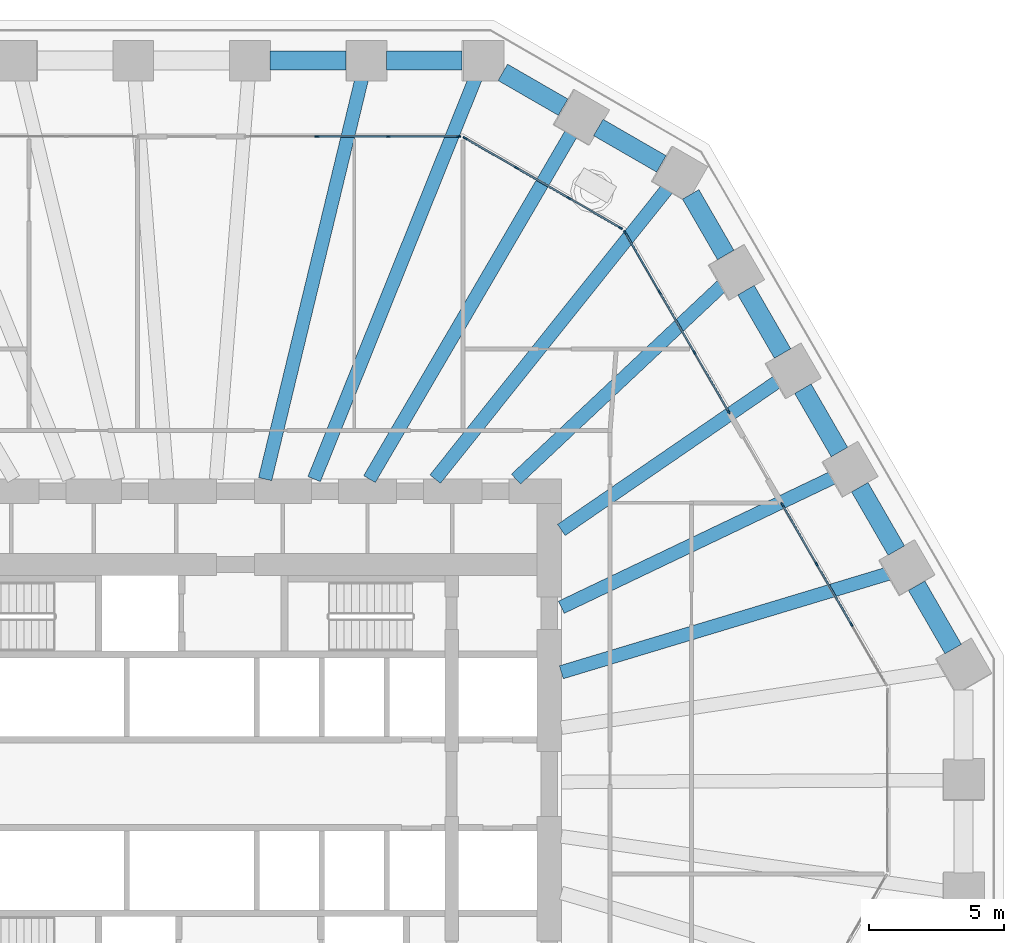
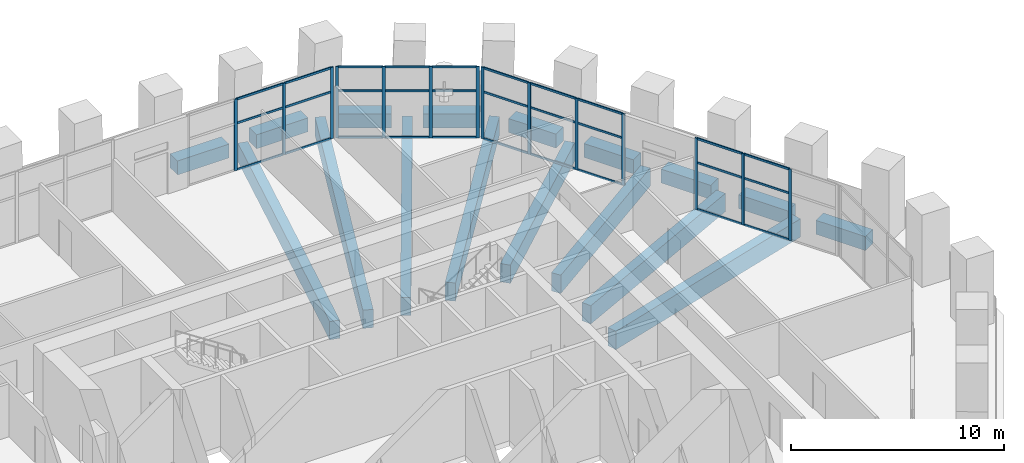
# One storey, part 8 of 18: 44 members, 17 beams, 4 elements without a shape of their own.
"""IFC4 building model written with IfcOpenShell, lengths in metres."""

from ifc_helpers import new_model, si_unit, direction, frame, origin, origin_2d, place, context, subcontext, project, spatial, rectangle, extrude, material, material_profile, profile_set, type_object, element, aggregate, save


model = new_model("IFC4")

# Units and contexts
model_context = context("Model", 3, precision=1e-05, world=origin(), true_north=direction((0.0, 1.0)))
body_context = subcontext(model_context, "Body", "Model", "MODEL_VIEW")
ifc_project = project(units=[si_unit("LENGTHUNIT", "METRE"), si_unit("AREAUNIT", "SQUARE_METRE"), si_unit("VOLUMEUNIT", "CUBIC_METRE"), si_unit("PLANEANGLEUNIT", "RADIAN"), si_unit("MASSUNIT", "GRAM", prefix="KILO")], contexts=[model_context])

# Site, building, storey
site_placement = place(None, origin())
site = spatial("IfcSite", under=ifc_project, at=site_placement, CompositionType="ELEMENT")
building_placement = place(site_placement, origin())
building = spatial("IfcBuilding", under=site, at=building_placement, Name="Frailejon Research Tower", CompositionType="ELEMENT")
storey_placement = place(building_placement, frame((0.0, 0.0, 19.0)))
storey = spatial("IfcBuildingStorey", under=building, at=storey_placement, Name="L04", CompositionType="ELEMENT", Elevation=19.0)

# Curtain wall, members
ifc_material_1 = material(Name="Aluminium curtain wall", Category="aluminium")
curtain_wall_type = type_object("IfcCurtainWallType", Name="Base zone unitised curtain wall system", PredefinedType="NOTDEFINED", material=ifc_material_1)
curtain_wall_1_placement = place(storey_placement, origin())
curtain_wall_1 = element("IfcCurtainWall", 1, at=curtain_wall_1_placement, inside=storey, type_object=curtain_wall_type, Name="Curtain wall L04", PredefinedType="NOTDEFINED")
ifc_material_2 = material(Name="Aluminium extrusion", Category="aluminium")
ifc_material_profile_1 = material_profile(ifc_material_2, rectangle(XDim=0.06005859375, YDim=0.159912109375, at=origin_2d()), Name="Base zone unitised curtain wall mullion 60x160")
ifc_profile_set_1 = profile_set([ifc_material_profile_1], Name="Aluminium extrusion")
member_type_1 = type_object("IfcMemberType", Name="Base zone unitised curtain wall mullion 60x160", PredefinedType="MULLION", material=ifc_profile_set_1)
member_1_placement = place(storey_placement, frame((24.359375, 5.885009765625, 0.0), z_axis=(0.0, 0.0, 1.0), x_axis=(-0.866024676356, -0.50000125994, 0.0)))
member_1 = element("IfcMember", 2, at=member_1_placement, type_object=member_type_1, Name="CW3-064 mullion 2", PredefinedType="MULLION", context=body_context, shape_type="SweptSolid", body=[
    extrude(rectangle(XDim=0.06005859375, YDim=0.159912109375, at=origin_2d()), origin(), (0.0, 0.0, 1.0), 4.10009765625),
])
member_2_placement = place(storey_placement, frame((23.075927734375, 8.107666015625, 0.0), z_axis=(0.0, 0.0, 1.0), x_axis=(-0.866024676356, -0.50000125994, 0.0)))
member_2 = element("IfcMember", 3, at=member_2_placement, type_object=member_type_1, Name="CW3-064 mullion 3", PredefinedType="MULLION", context=body_context, shape_type="SweptSolid", body=[
    extrude(rectangle(XDim=0.06005859375, YDim=0.159912109375, at=origin_2d()), origin(), (0.0, 0.0, 1.0), 4.10009765625),
])
member_3_placement = place(storey_placement, frame((21.8076171875, 10.304443359375, 0.0), z_axis=(0.0, 0.0, 1.0), x_axis=(-0.866024676356, -0.50000125994, 0.0)))
member_3 = element("IfcMember", 4, at=member_3_placement, type_object=member_type_1, Name="CW3-064 mullion 4", PredefinedType="MULLION", context=body_context, shape_type="SweptSolid", body=[
    extrude(rectangle(XDim=0.06005859375, YDim=0.159912109375, at=origin_2d()), origin(), (0.0, 0.0, 1.0), 4.10009765625),
])

curtain_wall_2_placement = place(storey_placement, origin())
curtain_wall_2 = element("IfcCurtainWall", 5, at=curtain_wall_2_placement, inside=storey, type_object=curtain_wall_type, Name="Curtain wall L04", PredefinedType="NOTDEFINED")
member_4_placement = place(storey_placement, frame((19.827880859375, 13.73388671875, 0.0), z_axis=(0.0, 0.0, 1.0), x_axis=(-0.866027923165, -0.49999563628, 0.0)))
member_4 = element("IfcMember", 6, at=member_4_placement, type_object=member_type_1, Name="CW3-065 mullion 1", PredefinedType="MULLION", context=body_context, shape_type="SweptSolid", body=[
    extrude(rectangle(XDim=0.06005859375, YDim=0.159912109375, at=origin_2d()), origin(), (0.0, 0.0, 1.0), 4.10009765625),
])
member_5_placement = place(storey_placement, frame((18.5595703125, 15.9306640625, 0.0), z_axis=(0.0, 0.0, 1.0), x_axis=(-0.866027923165, -0.49999563628, 0.0)))
member_5 = element("IfcMember", 7, at=member_5_placement, type_object=member_type_1, Name="CW3-065 mullion 2", PredefinedType="MULLION", context=body_context, shape_type="SweptSolid", body=[
    extrude(rectangle(XDim=0.06005859375, YDim=0.159912109375, at=origin_2d()), origin(), (0.0, 0.0, 1.0), 4.10009765625),
])
member_6_placement = place(storey_placement, frame((17.276123046875, 18.1533203125, 0.0), z_axis=(0.0, 0.0, 1.0), x_axis=(-0.866027923165, -0.49999563628, 0.0)))
member_6 = element("IfcMember", 8, at=member_6_placement, type_object=member_type_1, Name="CW3-065 mullion 3", PredefinedType="MULLION", context=body_context, shape_type="SweptSolid", body=[
    extrude(rectangle(XDim=0.06005859375, YDim=0.159912109375, at=origin_2d()), origin(), (0.0, 0.0, 1.0), 4.10009765625),
])
member_7_placement = place(storey_placement, frame((16.0078125, 20.35009765625, 0.0), z_axis=(0.0, 0.0, 1.0), x_axis=(-0.866027923165, -0.49999563628, 0.0)))
member_7 = element("IfcMember", 9, at=member_7_placement, type_object=member_type_1, Name="CW3-065 mullion 4", PredefinedType="MULLION", context=body_context, shape_type="SweptSolid", body=[
    extrude(rectangle(XDim=0.06005859375, YDim=0.159912109375, at=origin_2d()), origin(), (0.0, 0.0, 1.0), 4.10009765625),
])

curtain_wall_3_placement = place(storey_placement, origin())
curtain_wall_3 = element("IfcCurtainWall", 10, at=curtain_wall_3_placement, inside=storey, type_object=curtain_wall_type, Name="Curtain wall L04", PredefinedType="NOTDEFINED")
member_8_placement = place(storey_placement, frame((15.830322265625, 20.527587890625, 0.0), z_axis=(0.0, 0.0, 1.0), x_axis=(-0.499998258782, -0.866026409075, 0.0)))
member_8 = element("IfcMember", 11, at=member_8_placement, type_object=member_type_1, Name="CW3-066 mullion 1", PredefinedType="MULLION", context=body_context, shape_type="SweptSolid", body=[
    extrude(rectangle(XDim=0.06005859375, YDim=0.159912109375, at=origin_2d()), origin(), (0.0, 0.0, 1.0), 4.10009765625),
])
member_9_placement = place(storey_placement, frame((13.929443359375, 21.625244140625, 0.0), z_axis=(0.0, 0.0, 1.0), x_axis=(-0.499998258782, -0.866026409075, 0.0)))
member_9 = element("IfcMember", 12, at=member_9_placement, type_object=member_type_1, Name="CW3-066 mullion 2", PredefinedType="MULLION", context=body_context, shape_type="SweptSolid", body=[
    extrude(rectangle(XDim=0.06005859375, YDim=0.159912109375, at=origin_2d()), origin(), (0.0, 0.0, 1.0), 4.10009765625),
])
member_10_placement = place(storey_placement, frame((12.002685546875, 22.737548828125, 0.0), z_axis=(0.0, 0.0, 1.0), x_axis=(-0.499998258782, -0.866026409075, 0.0)))
member_10 = element("IfcMember", 13, at=member_10_placement, type_object=member_type_1, Name="CW3-066 mullion 3", PredefinedType="MULLION", context=body_context, shape_type="SweptSolid", body=[
    extrude(rectangle(XDim=0.06005859375, YDim=0.159912109375, at=origin_2d()), origin(), (0.0, 0.0, 1.0), 4.10009765625),
])
member_11_placement = place(storey_placement, frame((10.101806640625, 23.8349609375, 0.0), z_axis=(0.0, 0.0, 1.0), x_axis=(-0.499998258782, -0.866026409075, 0.0)))
member_11 = element("IfcMember", 14, at=member_11_placement, type_object=member_type_1, Name="CW3-066 mullion 4", PredefinedType="MULLION", context=body_context, shape_type="SweptSolid", body=[
    extrude(rectangle(XDim=0.06005859375, YDim=0.159912109375, at=origin_2d()), origin(), (0.0, 0.0, 1.0), 4.10009765625),
])

curtain_wall_4_placement = place(storey_placement, origin())
curtain_wall_4 = element("IfcCurtainWall", 15, at=curtain_wall_4_placement, inside=storey, type_object=curtain_wall_type, Name="Curtain wall L04", PredefinedType="NOTDEFINED")
member_12_placement = place(storey_placement, frame((9.859375, 23.89990234375, 0.0), z_axis=(0.0, 0.0, 1.0), x_axis=(0.0, -1.0, 0.0)))
member_12 = element("IfcMember", 16, at=member_12_placement, type_object=member_type_1, Name="CW3-067 mullion 1", PredefinedType="MULLION", context=body_context, shape_type="SweptSolid", body=[
    extrude(rectangle(XDim=0.06005859375, YDim=0.159912109375, at=origin_2d()), origin(), (0.0, 0.0, 1.0), 4.10009765625),
])
member_13_placement = place(storey_placement, frame((7.2587890625, 23.89990234375, 0.0), z_axis=(0.0, 0.0, 1.0), x_axis=(0.0, -1.0, 0.0)))
member_13 = element("IfcMember", 17, at=member_13_placement, type_object=member_type_1, Name="CW3-067 mullion 2", PredefinedType="MULLION", context=body_context, shape_type="SweptSolid", body=[
    extrude(rectangle(XDim=0.06005859375, YDim=0.159912109375, at=origin_2d()), origin(), (0.0, 0.0, 1.0), 4.10009765625),
])
member_14_placement = place(storey_placement, frame((4.62841796875, 23.89990234375, 0.0), z_axis=(0.0, 0.0, 1.0), x_axis=(0.0, -1.0, 0.0)))
member_14 = element("IfcMember", 18, at=member_14_placement, type_object=member_type_1, Name="CW3-067 mullion 3", PredefinedType="MULLION", context=body_context, shape_type="SweptSolid", body=[
    extrude(rectangle(XDim=0.06005859375, YDim=0.159912109375, at=origin_2d()), origin(), (0.0, 0.0, 1.0), 4.10009765625),
])

# Member
ifc_material_3 = material(Name="Aluminium extrusion", Category="aluminium")
ifc_material_profile_2 = material_profile(ifc_material_3, rectangle(XDim=0.06005859375, YDim=0.1201171875, at=origin_2d()), Name="Base zone unitised curtain wall transom 60x120")
ifc_profile_set_2 = profile_set([ifc_material_profile_2], Name="Aluminium extrusion")
member_type_2 = type_object("IfcMemberType", Name="Base zone unitised curtain wall transom 60x120", PredefinedType="USERDEFINED", material=ifc_profile_set_2)
member_15_placement = place(storey_placement, frame((24.34423828125, 5.910888671875, 0.030029296875), z_axis=(-0.499941663064, 0.866059082011, 0.0), x_axis=(-0.866059082011, -0.499941663064, 0.0)))
member_15 = element("IfcMember", 19, at=member_15_placement, type_object=member_type_2, Name="CW3-064 transom 2.1", ObjectType="TRANSOM", PredefinedType="USERDEFINED", context=body_context, shape_type="SweptSolid", body=[
    extrude(rectangle(XDim=0.06005859375, YDim=0.1201171875, at=origin_2d()), origin(), (0.0, 0.0, 1.0), 2.506591796875),
])

member_16_placement = place(storey_placement, frame((24.34423828125, 5.910888671875, 2.699951171875), z_axis=(-0.499941663064, 0.866059082011, 0.0), x_axis=(-0.866059082011, -0.499941663064, 0.0)))
member_16 = element("IfcMember", 20, at=member_16_placement, type_object=member_type_2, Name="CW3-064 transom 2.2", ObjectType="TRANSOM", PredefinedType="USERDEFINED", context=body_context, shape_type="SweptSolid", body=[
    extrude(rectangle(XDim=0.06005859375, YDim=0.1201171875, at=origin_2d()), origin(), (0.0, 0.0, 1.0), 2.506591796875),
])

member_17_placement = place(storey_placement, frame((24.34423828125, 5.910888671875, 4.070068359375), z_axis=(-0.499941663064, 0.866059082011, 0.0), x_axis=(-0.866059082011, -0.499941663064, 0.0)))
member_17 = element("IfcMember", 21, at=member_17_placement, type_object=member_type_2, Name="CW3-064 transom 2.3", ObjectType="TRANSOM", PredefinedType="USERDEFINED", context=body_context, shape_type="SweptSolid", body=[
    extrude(rectangle(XDim=0.06005859375, YDim=0.1201171875, at=origin_2d()), origin(), (0.0, 0.0, 1.0), 2.506591796875),
])

member_18_placement = place(storey_placement, frame((23.06103515625, 8.133544921875, 0.030029296875), z_axis=(-0.499998364937, 0.866026347786, 0.0), x_axis=(-0.866026347786, -0.499998364937, 0.0)))
member_18 = element("IfcMember", 22, at=member_18_placement, type_object=member_type_2, Name="CW3-064 transom 3.1", ObjectType="TRANSOM", PredefinedType="USERDEFINED", context=body_context, shape_type="SweptSolid", body=[
    extrude(rectangle(XDim=0.06005859375, YDim=0.1201171875, at=origin_2d()), origin(), (0.0, 0.0, 1.0), 2.4765625),
])

member_19_placement = place(storey_placement, frame((23.06103515625, 8.133544921875, 2.699951171875), z_axis=(-0.499998364937, 0.866026347786, 0.0), x_axis=(-0.866026347786, -0.499998364937, 0.0)))
member_19 = element("IfcMember", 23, at=member_19_placement, type_object=member_type_2, Name="CW3-064 transom 3.2", ObjectType="TRANSOM", PredefinedType="USERDEFINED", context=body_context, shape_type="SweptSolid", body=[
    extrude(rectangle(XDim=0.06005859375, YDim=0.1201171875, at=origin_2d()), origin(), (0.0, 0.0, 1.0), 2.4765625),
])

member_20_placement = place(storey_placement, frame((23.06103515625, 8.133544921875, 4.070068359375), z_axis=(-0.499998364937, 0.866026347786, 0.0), x_axis=(-0.866026347786, -0.499998364937, 0.0)))
member_20 = element("IfcMember", 24, at=member_20_placement, type_object=member_type_2, Name="CW3-064 transom 3.3", ObjectType="TRANSOM", PredefinedType="USERDEFINED", context=body_context, shape_type="SweptSolid", body=[
    extrude(rectangle(XDim=0.06005859375, YDim=0.1201171875, at=origin_2d()), origin(), (0.0, 0.0, 1.0), 2.4765625),
])

aggregate(curtain_wall_1, [member_1, member_2, member_3, member_15, member_16, member_17, member_18, member_19, member_20])

member_21_placement = place(storey_placement, frame((19.812744140625, 13.759765625, 0.030029296875), z_axis=(-0.499998364937, 0.866026347786, 0.0), x_axis=(-0.866026347786, -0.499998364937, 0.0)))
member_21 = element("IfcMember", 25, at=member_21_placement, type_object=member_type_2, Name="CW3-065 transom 1.1", ObjectType="TRANSOM", PredefinedType="USERDEFINED", context=body_context, shape_type="SweptSolid", body=[
    extrude(rectangle(XDim=0.06005859375, YDim=0.1201171875, at=origin_2d()), origin(), (0.0, 0.0, 1.0), 2.4765625),
])

member_22_placement = place(storey_placement, frame((19.812744140625, 13.759765625, 2.699951171875), z_axis=(-0.499998364937, 0.866026347786, 0.0), x_axis=(-0.866026347786, -0.499998364937, 0.0)))
member_22 = element("IfcMember", 26, at=member_22_placement, type_object=member_type_2, Name="CW3-065 transom 1.2", ObjectType="TRANSOM", PredefinedType="USERDEFINED", context=body_context, shape_type="SweptSolid", body=[
    extrude(rectangle(XDim=0.06005859375, YDim=0.1201171875, at=origin_2d()), origin(), (0.0, 0.0, 1.0), 2.4765625),
])

member_23_placement = place(storey_placement, frame((19.812744140625, 13.759765625, 4.070068359375), z_axis=(-0.499998364937, 0.866026347786, 0.0), x_axis=(-0.866026347786, -0.499998364937, 0.0)))
member_23 = element("IfcMember", 27, at=member_23_placement, type_object=member_type_2, Name="CW3-065 transom 1.3", ObjectType="TRANSOM", PredefinedType="USERDEFINED", context=body_context, shape_type="SweptSolid", body=[
    extrude(rectangle(XDim=0.06005859375, YDim=0.1201171875, at=origin_2d()), origin(), (0.0, 0.0, 1.0), 2.4765625),
])

member_24_placement = place(storey_placement, frame((18.54443359375, 15.95654296875, 0.030029296875), z_axis=(-0.499941663064, 0.866059082011, 0.0), x_axis=(-0.866059082011, -0.499941663064, 0.0)))
member_24 = element("IfcMember", 28, at=member_24_placement, type_object=member_type_2, Name="CW3-065 transom 2.1", ObjectType="TRANSOM", PredefinedType="USERDEFINED", context=body_context, shape_type="SweptSolid", body=[
    extrude(rectangle(XDim=0.06005859375, YDim=0.1201171875, at=origin_2d()), origin(), (0.0, 0.0, 1.0), 2.506591796875),
])

member_25_placement = place(storey_placement, frame((18.54443359375, 15.95654296875, 2.699951171875), z_axis=(-0.499941663064, 0.866059082011, 0.0), x_axis=(-0.866059082011, -0.499941663064, 0.0)))
member_25 = element("IfcMember", 29, at=member_25_placement, type_object=member_type_2, Name="CW3-065 transom 2.2", ObjectType="TRANSOM", PredefinedType="USERDEFINED", context=body_context, shape_type="SweptSolid", body=[
    extrude(rectangle(XDim=0.06005859375, YDim=0.1201171875, at=origin_2d()), origin(), (0.0, 0.0, 1.0), 2.506591796875),
])

member_26_placement = place(storey_placement, frame((18.54443359375, 15.95654296875, 4.070068359375), z_axis=(-0.499941663064, 0.866059082011, 0.0), x_axis=(-0.866059082011, -0.499941663064, 0.0)))
member_26 = element("IfcMember", 30, at=member_26_placement, type_object=member_type_2, Name="CW3-065 transom 2.3", ObjectType="TRANSOM", PredefinedType="USERDEFINED", context=body_context, shape_type="SweptSolid", body=[
    extrude(rectangle(XDim=0.06005859375, YDim=0.1201171875, at=origin_2d()), origin(), (0.0, 0.0, 1.0), 2.506591796875),
])

member_27_placement = place(storey_placement, frame((17.26123046875, 18.17919921875, 0.030029296875), z_axis=(-0.499955681623, 0.866050989499, 0.0), x_axis=(-0.866050989499, -0.499955681623, 0.0)))
member_27 = element("IfcMember", 31, at=member_27_placement, type_object=member_type_2, Name="CW3-065 transom 3.1", ObjectType="TRANSOM", PredefinedType="USERDEFINED", context=body_context, shape_type="SweptSolid", body=[
    extrude(rectangle(XDim=0.06005859375, YDim=0.1201171875, at=origin_2d()), origin(), (0.0, 0.0, 1.0), 2.476806640625),
])

member_28_placement = place(storey_placement, frame((17.26123046875, 18.17919921875, 2.699951171875), z_axis=(-0.499955681623, 0.866050989499, 0.0), x_axis=(-0.866050989499, -0.499955681623, 0.0)))
member_28 = element("IfcMember", 32, at=member_28_placement, type_object=member_type_2, Name="CW3-065 transom 3.2", ObjectType="TRANSOM", PredefinedType="USERDEFINED", context=body_context, shape_type="SweptSolid", body=[
    extrude(rectangle(XDim=0.06005859375, YDim=0.1201171875, at=origin_2d()), origin(), (0.0, 0.0, 1.0), 2.476806640625),
])

member_29_placement = place(storey_placement, frame((17.26123046875, 18.17919921875, 4.070068359375), z_axis=(-0.499955681623, 0.866050989499, 0.0), x_axis=(-0.866050989499, -0.499955681623, 0.0)))
member_29 = element("IfcMember", 33, at=member_29_placement, type_object=member_type_2, Name="CW3-065 transom 3.3", ObjectType="TRANSOM", PredefinedType="USERDEFINED", context=body_context, shape_type="SweptSolid", body=[
    extrude(rectangle(XDim=0.06005859375, YDim=0.1201171875, at=origin_2d()), origin(), (0.0, 0.0, 1.0), 2.476806640625),
])

aggregate(curtain_wall_2, [member_4, member_5, member_6, member_7, member_21, member_22, member_23, member_24, member_25, member_26, member_27, member_28, member_29])

member_30_placement = place(storey_placement, frame((15.804443359375, 20.542724609375, 0.030029296875), z_axis=(-0.866038951244, 0.499976534377, 0.0), x_axis=(-0.499976534377, -0.866038951244, 0.0)))
member_30 = element("IfcMember", 34, at=member_30_placement, type_object=member_type_2, Name="CW3-066 transom 1.1", ObjectType="TRANSOM", PredefinedType="USERDEFINED", context=body_context, shape_type="SweptSolid", body=[
    extrude(rectangle(XDim=0.06005859375, YDim=0.1201171875, at=origin_2d()), origin(), (0.0, 0.0, 1.0), 2.134765625),
])

member_31_placement = place(storey_placement, frame((15.804443359375, 20.542724609375, 2.699951171875), z_axis=(-0.866038951244, 0.499976534377, 0.0), x_axis=(-0.499976534377, -0.866038951244, 0.0)))
member_31 = element("IfcMember", 35, at=member_31_placement, type_object=member_type_2, Name="CW3-066 transom 1.2", ObjectType="TRANSOM", PredefinedType="USERDEFINED", context=body_context, shape_type="SweptSolid", body=[
    extrude(rectangle(XDim=0.06005859375, YDim=0.1201171875, at=origin_2d()), origin(), (0.0, 0.0, 1.0), 2.134765625),
])

member_32_placement = place(storey_placement, frame((15.804443359375, 20.542724609375, 4.070068359375), z_axis=(-0.866038951244, 0.499976534377, 0.0), x_axis=(-0.499976534377, -0.866038951244, 0.0)))
member_32 = element("IfcMember", 36, at=member_32_placement, type_object=member_type_2, Name="CW3-066 transom 1.3", ObjectType="TRANSOM", PredefinedType="USERDEFINED", context=body_context, shape_type="SweptSolid", body=[
    extrude(rectangle(XDim=0.06005859375, YDim=0.1201171875, at=origin_2d()), origin(), (0.0, 0.0, 1.0), 2.134765625),
])

member_33_placement = place(storey_placement, frame((13.903564453125, 21.64013671875, 0.030029296875), z_axis=(-0.866027848477, 0.499995765644, 0.0), x_axis=(-0.499995765644, -0.866027848477, 0.0)))
member_33 = element("IfcMember", 37, at=member_33_placement, type_object=member_type_2, Name="CW3-066 transom 2.1", ObjectType="TRANSOM", PredefinedType="USERDEFINED", context=body_context, shape_type="SweptSolid", body=[
    extrude(rectangle(XDim=0.06005859375, YDim=0.1201171875, at=origin_2d()), origin(), (0.0, 0.0, 1.0), 2.1650390625),
])

member_34_placement = place(storey_placement, frame((13.903564453125, 21.64013671875, 2.699951171875), z_axis=(-0.866027848477, 0.499995765644, 0.0), x_axis=(-0.499995765644, -0.866027848477, 0.0)))
member_34 = element("IfcMember", 38, at=member_34_placement, type_object=member_type_2, Name="CW3-066 transom 2.2", ObjectType="TRANSOM", PredefinedType="USERDEFINED", context=body_context, shape_type="SweptSolid", body=[
    extrude(rectangle(XDim=0.06005859375, YDim=0.1201171875, at=origin_2d()), origin(), (0.0, 0.0, 1.0), 2.1650390625),
])

member_35_placement = place(storey_placement, frame((13.903564453125, 21.64013671875, 4.070068359375), z_axis=(-0.866027848477, 0.499995765644, 0.0), x_axis=(-0.499995765644, -0.866027848477, 0.0)))
member_35 = element("IfcMember", 39, at=member_35_placement, type_object=member_type_2, Name="CW3-066 transom 2.3", ObjectType="TRANSOM", PredefinedType="USERDEFINED", context=body_context, shape_type="SweptSolid", body=[
    extrude(rectangle(XDim=0.06005859375, YDim=0.1201171875, at=origin_2d()), origin(), (0.0, 0.0, 1.0), 2.1650390625),
])

member_36_placement = place(storey_placement, frame((11.976806640625, 22.752685546875, 0.030029296875), z_axis=(-0.866038951244, 0.499976534377, 0.0), x_axis=(-0.499976534377, -0.866038951244, 0.0)))
member_36 = element("IfcMember", 40, at=member_36_placement, type_object=member_type_2, Name="CW3-066 transom 3.1", ObjectType="TRANSOM", PredefinedType="USERDEFINED", context=body_context, shape_type="SweptSolid", body=[
    extrude(rectangle(XDim=0.06005859375, YDim=0.1201171875, at=origin_2d()), origin(), (0.0, 0.0, 1.0), 2.134765625),
])

member_37_placement = place(storey_placement, frame((11.976806640625, 22.752685546875, 2.699951171875), z_axis=(-0.866038951244, 0.499976534377, 0.0), x_axis=(-0.499976534377, -0.866038951244, 0.0)))
member_37 = element("IfcMember", 41, at=member_37_placement, type_object=member_type_2, Name="CW3-066 transom 3.2", ObjectType="TRANSOM", PredefinedType="USERDEFINED", context=body_context, shape_type="SweptSolid", body=[
    extrude(rectangle(XDim=0.06005859375, YDim=0.1201171875, at=origin_2d()), origin(), (0.0, 0.0, 1.0), 2.134765625),
])

member_38_placement = place(storey_placement, frame((11.976806640625, 22.752685546875, 4.070068359375), z_axis=(-0.866038951244, 0.499976534377, 0.0), x_axis=(-0.499976534377, -0.866038951244, 0.0)))
member_38 = element("IfcMember", 42, at=member_38_placement, type_object=member_type_2, Name="CW3-066 transom 3.3", ObjectType="TRANSOM", PredefinedType="USERDEFINED", context=body_context, shape_type="SweptSolid", body=[
    extrude(rectangle(XDim=0.06005859375, YDim=0.1201171875, at=origin_2d()), origin(), (0.0, 0.0, 1.0), 2.134765625),
])

aggregate(curtain_wall_3, [member_8, member_9, member_10, member_11, member_30, member_31, member_32, member_33, member_34, member_35, member_36, member_37, member_38])

member_39_placement = place(storey_placement, frame((9.829345703125, 23.89990234375, 0.030029296875), z_axis=(-1.0, 0.0, 0.0), x_axis=(0.0, -1.0, 0.0)))
member_39 = element("IfcMember", 43, at=member_39_placement, type_object=member_type_2, Name="CW3-067 transom 1.1", ObjectType="TRANSOM", PredefinedType="USERDEFINED", context=body_context, shape_type="SweptSolid", body=[
    extrude(rectangle(XDim=0.06005859375, YDim=0.1201171875, at=origin_2d()), origin(), (0.0, 0.0, 1.0), 2.54052734375),
])

member_40_placement = place(storey_placement, frame((9.829345703125, 23.89990234375, 2.699951171875), z_axis=(-1.0, 0.0, 0.0), x_axis=(0.0, -1.0, 0.0)))
member_40 = element("IfcMember", 44, at=member_40_placement, type_object=member_type_2, Name="CW3-067 transom 1.2", ObjectType="TRANSOM", PredefinedType="USERDEFINED", context=body_context, shape_type="SweptSolid", body=[
    extrude(rectangle(XDim=0.06005859375, YDim=0.1201171875, at=origin_2d()), origin(), (0.0, 0.0, 1.0), 2.54052734375),
])

member_41_placement = place(storey_placement, frame((9.829345703125, 23.89990234375, 4.070068359375), z_axis=(-1.0, 0.0, 0.0), x_axis=(0.0, -1.0, 0.0)))
member_41 = element("IfcMember", 45, at=member_41_placement, type_object=member_type_2, Name="CW3-067 transom 1.3", ObjectType="TRANSOM", PredefinedType="USERDEFINED", context=body_context, shape_type="SweptSolid", body=[
    extrude(rectangle(XDim=0.06005859375, YDim=0.1201171875, at=origin_2d()), origin(), (0.0, 0.0, 1.0), 2.54052734375),
])

member_42_placement = place(storey_placement, frame((7.228759765625, 23.89990234375, 0.030029296875), z_axis=(-1.0, 0.0, 0.0), x_axis=(0.0, -1.0, 0.0)))
member_42 = element("IfcMember", 46, at=member_42_placement, type_object=member_type_2, Name="CW3-067 transom 2.1", ObjectType="TRANSOM", PredefinedType="USERDEFINED", context=body_context, shape_type="SweptSolid", body=[
    extrude(rectangle(XDim=0.06005859375, YDim=0.1201171875, at=origin_2d()), origin(), (0.0, 0.0, 1.0), 2.5703125),
])

member_43_placement = place(storey_placement, frame((7.228759765625, 23.89990234375, 2.699951171875), z_axis=(-1.0, 0.0, 0.0), x_axis=(0.0, -1.0, 0.0)))
member_43 = element("IfcMember", 47, at=member_43_placement, type_object=member_type_2, Name="CW3-067 transom 2.2", ObjectType="TRANSOM", PredefinedType="USERDEFINED", context=body_context, shape_type="SweptSolid", body=[
    extrude(rectangle(XDim=0.06005859375, YDim=0.1201171875, at=origin_2d()), origin(), (0.0, 0.0, 1.0), 2.5703125),
])

member_44_placement = place(storey_placement, frame((7.228759765625, 23.89990234375, 4.070068359375), z_axis=(-1.0, 0.0, 0.0), x_axis=(0.0, -1.0, 0.0)))
member_44 = element("IfcMember", 48, at=member_44_placement, type_object=member_type_2, Name="CW3-067 transom 2.3", ObjectType="TRANSOM", PredefinedType="USERDEFINED", context=body_context, shape_type="SweptSolid", body=[
    extrude(rectangle(XDim=0.06005859375, YDim=0.1201171875, at=origin_2d()), origin(), (0.0, 0.0, 1.0), 2.5703125),
])

aggregate(curtain_wall_4, [member_12, member_13, member_14, member_39, member_40, member_41, member_42, member_43, member_44])

# Beams
ifc_material_4 = material(Name="Concrete C60/75", Category="concrete")
ifc_material_profile_3 = material_profile(ifc_material_4, rectangle(XDim=0.5, YDim=1.050048828125, at=origin_2d()), Name="Girder 500x1050")
ifc_profile_set_3 = profile_set([ifc_material_profile_3], Name="Concrete C60/75")
beam_type_1 = type_object("IfcBeamType", Name="Girder 500x1050", PredefinedType="BEAM", material=ifc_profile_set_3)
beam_1_placement = place(storey_placement, frame((25.798583984375, 7.783935546875, -0.824951171875), z_axis=(-0.957371288259, -0.288860202205, 0.0), x_axis=(0.288860202205, -0.957371288259, 0.0)))
element("IfcBeam", 49, at=beam_1_placement, inside=storey, type_object=beam_type_1, Name="Girder 500x1050", PredefinedType="BEAM", context=body_context, shape_type="SweptSolid", body=[
    extrude(rectangle(XDim=0.5, YDim=1.050048828125, at=origin_2d()), origin(), (0.0, 0.0, 1.0), 12.689697265625),
])
beam_2_placement = place(storey_placement, frame((23.7490234375, 11.341064453125, -0.824951171875), z_axis=(-0.902386580591, -0.430927440724, 0.0), x_axis=(0.430927440724, -0.902386580591, 0.0)))
element("IfcBeam", 50, at=beam_2_placement, inside=storey, type_object=beam_type_1, Name="Girder 500x1050", PredefinedType="BEAM", context=body_context, shape_type="SweptSolid", body=[
    extrude(rectangle(XDim=0.5, YDim=1.050048828125, at=origin_2d()), origin(), (0.0, 0.0, 1.0), 11.191650390625),
])
beam_3_placement = place(storey_placement, frame((21.696044921875, 14.89697265625, -0.824951171875), z_axis=(-0.824379696089, -0.566037204321, 0.0), x_axis=(0.566037204321, -0.824379696089, 0.0)))
element("IfcBeam", 51, at=beam_3_placement, inside=storey, type_object=beam_type_1, Name="Girder 500x1050", PredefinedType="BEAM", context=body_context, shape_type="SweptSolid", body=[
    extrude(rectangle(XDim=0.5, YDim=1.050048828125, at=origin_2d()), origin(), (0.0, 0.0, 1.0), 9.76025390625),
])
beam_4_placement = place(storey_placement, frame((19.640380859375, 18.4501953125, -0.824951171875), z_axis=(-0.728851231662, -0.684672098238, 0.0), x_axis=(0.684672098238, -0.728851231662, 0.0)))
element("IfcBeam", 52, at=beam_4_placement, inside=storey, type_object=beam_type_1, Name="Girder 500x1050", PredefinedType="BEAM", context=body_context, shape_type="SweptSolid", body=[
    extrude(rectangle(XDim=0.5, YDim=1.050048828125, at=origin_2d()), origin(), (0.0, 0.0, 1.0), 10.516357421875),
])
beam_5_placement = place(storey_placement, frame((17.612548828125, 22.037109375, -0.824951171875), z_axis=(-0.6243262897, -0.781163672984, 0.0), x_axis=(0.781163672984, -0.6243262897, 0.0)))
element("IfcBeam", 53, at=beam_5_placement, inside=storey, type_object=beam_type_1, Name="Girder 500x1050", PredefinedType="BEAM", context=body_context, shape_type="SweptSolid", body=[
    extrude(rectangle(XDim=0.5, YDim=1.050048828125, at=origin_2d()), origin(), (0.0, 0.0, 1.0), 13.80908203125),
])
beam_6_placement = place(storey_placement, frame((14.063720703125, 24.087890625, -0.824951171875), z_axis=(-0.504214078506, -0.863578695335, 0.0), x_axis=(0.863578695335, -0.504214078506, 0.0)))
element("IfcBeam", 54, at=beam_6_placement, inside=storey, type_object=beam_type_1, Name="Girder 500x1050", PredefinedType="BEAM", context=body_context, shape_type="SweptSolid", body=[
    extrude(rectangle(XDim=0.5, YDim=1.050048828125, at=origin_2d()), origin(), (0.0, 0.0, 1.0), 14.865966796875),
])
beam_7_placement = place(storey_placement, frame((10.493896484375, 26.089111328125, -0.824951171875), z_axis=(-0.373174299649, -0.927761252738, 0.0), x_axis=(0.927761252738, -0.373174299649, 0.0)))
element("IfcBeam", 55, at=beam_7_placement, inside=storey, type_object=beam_type_1, Name="Girder 500x1050", PredefinedType="BEAM", context=body_context, shape_type="SweptSolid", body=[
    extrude(rectangle(XDim=0.5, YDim=1.050048828125, at=origin_2d()), origin(), (0.0, 0.0, 1.0), 15.99462890625),
])
beam_8_placement = place(storey_placement, frame((6.2978515625, 26.095703125, -0.824951171875), z_axis=(-0.234598339938, -0.972092392161, 0.0), x_axis=(0.972092392161, -0.234598339938, 0.0)))
element("IfcBeam", 56, at=beam_8_placement, inside=storey, type_object=beam_type_1, Name="Girder 500x1050", PredefinedType="BEAM", context=body_context, shape_type="SweptSolid", body=[
    extrude(rectangle(XDim=0.5, YDim=1.050048828125, at=origin_2d()), origin(), (0.0, 0.0, 1.0), 15.27197265625),
])
ifc_material_5 = material(Name="Concrete C60/75", Category="concrete")
ifc_material_profile_4 = material_profile(ifc_material_5, rectangle(XDim=0.699951171875, YDim=0.800048828125, at=origin_2d()), Name="Spandrel 700x800")
ifc_profile_set_4 = profile_set([ifc_material_profile_4], Name="Concrete C60/75")
beam_type_2 = type_object("IfcBeamType", Name="Spandrel 700x800", PredefinedType="BEAM", material=ifc_profile_set_4)
beam_9_placement = place(storey_placement, frame((28.11767578125, 4.975341796875, -0.75), z_axis=(-0.50000943426, 0.866019956843, 0.0), x_axis=(-0.866019956843, -0.50000943426, 0.0)))
element("IfcBeam", 57, at=beam_9_placement, inside=storey, type_object=beam_type_2, Name="Spandrel 700x800", PredefinedType="BEAM", context=body_context, shape_type="SweptSolid", body=[
    extrude(rectangle(XDim=0.699951171875, YDim=0.800048828125, at=origin_2d()), origin(), (0.0, 0.0, 1.0), 2.7001953125),
])
for number, where, z_axis, x_axis, name in (
    (58, (26.017578125, 8.61279296875, -0.75), (-0.500048589285, 0.86599734893, 0.0), (-0.86599734893, -0.500048589285, 0.0), "Spandrel 700x800"),
    (59, (23.91748046875, 12.25, -0.75), (-0.4999416173, 0.866059108428, 0.0), (-0.866059108428, -0.4999416173, 0.0), "Spandrel 700x800"),
):
    element("IfcBeam", number, at=place(storey_placement, frame(where, z_axis=z_axis, x_axis=x_axis)), inside=storey, type_object=beam_type_2, Name=name, PredefinedType="BEAM", context=body_context, shape_type="SweptSolid", body=[
        extrude(rectangle(XDim=0.699951171875, YDim=0.800048828125, at=origin_2d()), origin(), (0.0, 0.0, 1.0), 2.699951171875),
    ])
beam_10_placement = place(storey_placement, frame((21.817626953125, 15.88720703125, -0.75), z_axis=(-0.50000943426, 0.866019956843, 0.0), x_axis=(-0.866019956843, -0.50000943426, 0.0)))
element("IfcBeam", 60, at=beam_10_placement, inside=storey, type_object=beam_type_2, Name="Spandrel 700x800", PredefinedType="BEAM", context=body_context, shape_type="SweptSolid", body=[
    extrude(rectangle(XDim=0.699951171875, YDim=0.800048828125, at=origin_2d()), origin(), (0.0, 0.0, 1.0), 2.7001953125),
])
beam_11_placement = place(storey_placement, frame((19.717529296875, 19.524658203125, -0.75), z_axis=(-0.500000526688, 0.866025099701, 0.0), x_axis=(-0.866025099701, -0.500000526688, 0.0)))
element("IfcBeam", 61, at=beam_11_placement, inside=storey, type_object=beam_type_2, Name="Spandrel 700x800", PredefinedType="BEAM", context=body_context, shape_type="SweptSolid", body=[
    extrude(rectangle(XDim=0.699951171875, YDim=0.800048828125, at=origin_2d()), origin(), (0.0, 0.0, 1.0), 2.583984375),
])
beam_12_placement = place(storey_placement, frame((17.343017578125, 22.887451171875, -0.75), z_axis=(-0.866020687897, 0.500008168067, 0.0), x_axis=(-0.500008168067, -0.866020687897, 0.0)))
element("IfcBeam", 62, at=beam_12_placement, inside=storey, type_object=beam_type_2, Name="Spandrel 700x800", PredefinedType="BEAM", context=body_context, shape_type="SweptSolid", body=[
    extrude(rectangle(XDim=0.699951171875, YDim=0.800048828125, at=origin_2d()), origin(), (0.0, 0.0, 1.0), 2.6875),
])
beam_13_placement = place(storey_placement, frame((13.716552734375, 24.981201171875, -0.75), z_axis=(-0.866008514048, 0.50002925274, 0.0), x_axis=(-0.50002925274, -0.866008514048, 0.0)))
element("IfcBeam", 63, at=beam_13_placement, inside=storey, type_object=beam_type_2, Name="Spandrel 700x800", PredefinedType="BEAM", context=body_context, shape_type="SweptSolid", body=[
    extrude(rectangle(XDim=0.699951171875, YDim=0.800048828125, at=origin_2d()), origin(), (0.0, 0.0, 1.0), 2.571533203125),
])
beam_14_placement = place(storey_placement, frame((9.989501953125, 26.699951171875, -0.75), z_axis=(-1.0, 0.0, 0.0), x_axis=(0.0, -1.0, 0.0)))
element("IfcBeam", 64, at=beam_14_placement, inside=storey, type_object=beam_type_2, Name="Spandrel 700x800", PredefinedType="BEAM", context=body_context, shape_type="SweptSolid", body=[
    extrude(rectangle(XDim=0.699951171875, YDim=0.800048828125, at=origin_2d()), origin(), (0.0, 0.0, 1.0), 2.7958984375),
])
beam_15_placement = place(storey_placement, frame((5.693603515625, 26.699951171875, -0.75), z_axis=(-1.0, 0.0, 0.0), x_axis=(0.0, -1.0, 0.0)))
element("IfcBeam", 65, at=beam_15_placement, inside=storey, type_object=beam_type_2, Name="Spandrel 700x800", PredefinedType="BEAM", context=body_context, shape_type="SweptSolid", body=[
    extrude(rectangle(XDim=0.699951171875, YDim=0.800048828125, at=origin_2d()), origin(), (0.0, 0.0, 1.0), 2.795654296875),
])

save(model, "model.ifc")
